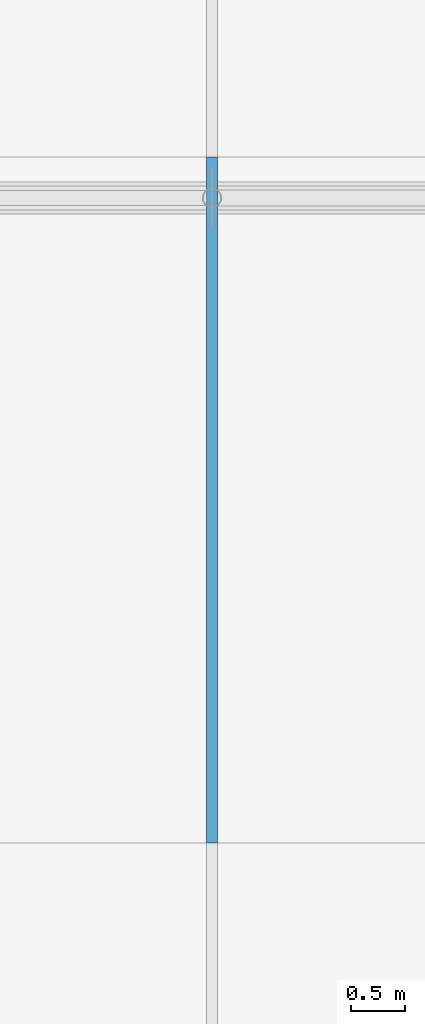
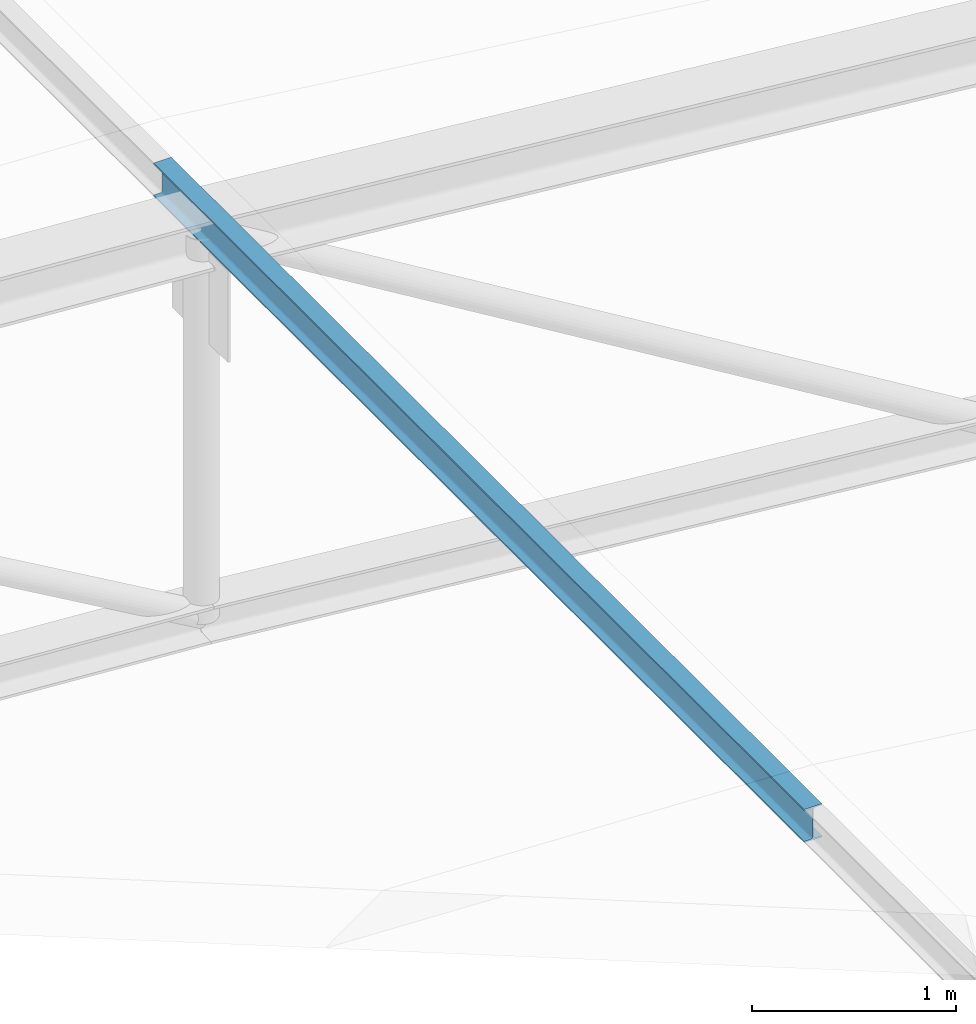
# One storey, part 102 of 262: 1 member.
"""IFC4 building model written with IfcOpenShell, lengths in metres."""

from ifc_helpers import new_model, si_unit, derived_unit, direction, frame, origin, origin_2d, place, context, subcontext, project, spatial, i_section, extrude, material, material_profile, profile_set, type_object, element, save


model = new_model("IFC4")

# Units and contexts
model_context = context("Model", 3, precision=1e-05, world=origin(), true_north=direction((0.0, 1.0)))
body_context = subcontext(model_context, "Body", "Model", "MODEL_VIEW")
ifc_project = project(units=[si_unit("LENGTHUNIT", "METRE"), si_unit("AREAUNIT", "SQUARE_METRE"), si_unit("VOLUMEUNIT", "CUBIC_METRE"), si_unit("PLANEANGLEUNIT", "RADIAN"), si_unit("MASSUNIT", "GRAM", prefix="KILO"), derived_unit("THERMALTRANSMITTANCEUNIT", [(si_unit("POWERUNIT", "WATT"), 1), (si_unit("LENGTHUNIT", "METRE"), -2), (si_unit("THERMODYNAMICTEMPERATUREUNIT", "KELVIN"), -1)])], contexts=[model_context])

# Site, building, storey
site_placement = place(None, origin())
site = spatial("IfcSite", under=ifc_project, at=site_placement, CompositionType="ELEMENT")
building_placement = place(site_placement, origin())
building = spatial("IfcBuilding", under=site, at=building_placement, Name="Almenara Railside Exhibition Hall", CompositionType="ELEMENT")
storey_placement = place(building_placement, frame((0.0, 0.0, 21.699951171875)))
storey = spatial("IfcBuildingStorey", under=building, at=storey_placement, Name="RF", CompositionType="ELEMENT", Elevation=21.699951171875)

# Member
ifc_material = material(Name="Structural steel S355JR", Category="steel")
ifc_material_profile = material_profile(ifc_material, i_section(OverallWidth=0.10009765625, OverallDepth=0.199951171875, WebThickness=0.005615234375, FlangeThickness=0.008544921875, FilletRadius=0.011962890625, at=origin_2d()), Name="IPE 200")
ifc_profile_set = profile_set([ifc_material_profile], Name="Structural steel S355JR")
member_type = type_object("IfcMemberType", Name="Standard Hall Roof Purlin IPE 200 S355JR", PredefinedType="PURLIN", material=ifc_profile_set)
member_placement = place(storey_placement, frame((52.5, 90.0, 1.638427734375), z_axis=(0.0, 1.0, 0.0), x_axis=(-1.0, 0.0, 0.0)))
element("IfcMember", 1, at=member_placement, inside=storey, type_object=member_type, Name="MEM-PR-V1-PR-IPE200-06-14", PredefinedType="PURLIN", context=body_context, shape_type="SweptSolid", body=[
    extrude(i_section(OverallWidth=0.10009765625, OverallDepth=0.199951171875, WebThickness=0.005615234375, FlangeThickness=0.008544921875, FilletRadius=0.011962890625, at=origin_2d()), origin(), (0.0, 0.0, 1.0), 6.3798828125),
])

save(model, "model.ifc")
